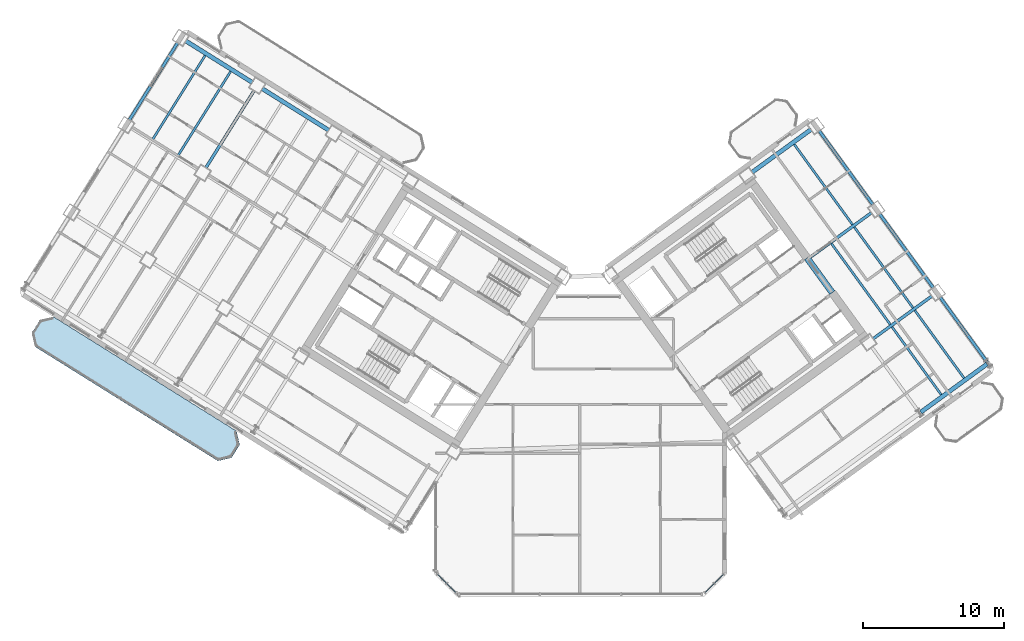
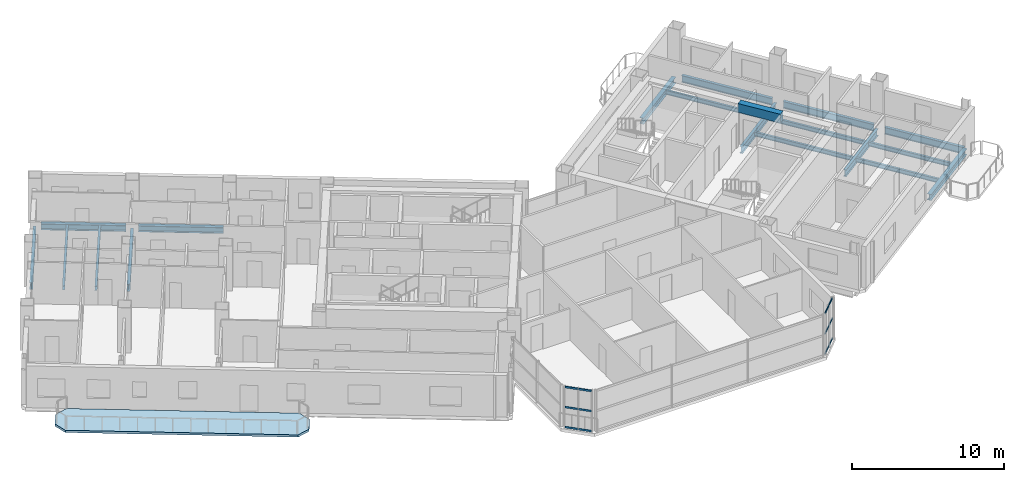
# One storey, part 13 of 25: 19 beams, 12 members, 1 slab, 2 elements without a shape of their own.
"""IFC4 building model written with IfcOpenShell, lengths in metres."""

from ifc_helpers import new_model, si_unit, direction, frame, origin, origin_2d, place, context, subcontext, project, spatial, polyline, rectangle, hollow_rectangle, i_section, outline, extrude, source, transform, mapped, material, layer, layer_set, material_profile, profile_set, type_object, element, aggregate, save


model = new_model("IFC4")

# Units and contexts
model_context = context("Model", 3, precision=1e-05, world=origin(), true_north=direction((0.0, 1.0)))
body_context = subcontext(model_context, "Body", "Model", "MODEL_VIEW")
ifc_project = project(units=[si_unit("LENGTHUNIT", "METRE"), si_unit("AREAUNIT", "SQUARE_METRE"), si_unit("VOLUMEUNIT", "CUBIC_METRE"), si_unit("PLANEANGLEUNIT", "RADIAN"), si_unit("MASSUNIT", "GRAM", prefix="KILO")], contexts=[model_context])

# Site, building, storey
site_placement = place(None, origin())
site = spatial("IfcSite", under=ifc_project, at=site_placement, CompositionType="ELEMENT")
building_placement = place(site_placement, origin())
building = spatial("IfcBuilding", under=site, at=building_placement, Name="Tlacorven Tower", CompositionType="ELEMENT")
storey_placement = place(building_placement, frame((0.0, 0.0, 162.300048828125)))
storey = spatial("IfcBuildingStorey", under=building, at=storey_placement, Name="L41", CompositionType="ELEMENT", Elevation=162.300048828125)

# Beams
ifc_material_1 = material(Name="Concrete C60/75", Category="concrete")
ifc_material_profile_1 = material_profile(ifc_material_1, rectangle(XDim=0.449951171875, YDim=0.699951171875, at=origin_2d()), Name="RC 450X700")
ifc_profile_set_1 = profile_set([ifc_material_profile_1], Name="Concrete C60/75")
beam_type_1 = type_object("IfcBeamType", Name="BM-LNT-700", PredefinedType="LINTEL", material=ifc_profile_set_1)
shared_shape_1 = source(origin(), body_context, "Body", "SweptSolid", [
    extrude(rectangle(XDim=0.449951171875, YDim=0.699951171875, at=origin_2d()), origin(), (0.0, 0.0, 1.0), 3.050048828125),
])
beam_1_placement = place(storey_placement, frame((59.856689453125, 23.345947265625, 3.0), z_axis=(-0.587776590479, 0.80902328748, 0.0), x_axis=(-0.80902328748, -0.587776590479, 0.0)))
element("IfcBeam", 1, at=beam_1_placement, inside=storey, type_object=beam_type_1, Name="L41 E core coupling lintel beam E2", PredefinedType="LINTEL", context=body_context, shape_type="MappedRepresentation", body=[
    mapped(shared_shape_1, transform((0.0, 0.0, 0.0), scale=1.0)),
])
ifc_material_2 = material(Name="Steel S355J2", Category="steel")
ifc_material_profile_2 = material_profile(ifc_material_2, i_section(OverallWidth=0.300048828125, OverallDepth=0.489990234375, WebThickness=0.011962890625, FlangeThickness=0.02294921875, at=origin_2d()), Name="HEA 500")
ifc_profile_set_2 = profile_set([ifc_material_profile_2], Name="Steel S355J2")
beam_type_2 = type_object("IfcBeamType", Name="BM-SPN-500", PredefinedType="SPANDREL", material=ifc_profile_set_2)
shared_shape_2 = source(origin(), body_context, "Body", "SweptSolid", [
    extrude(i_section(OverallWidth=0.300048828125, OverallDepth=0.489990234375, WebThickness=0.011962890625, FlangeThickness=0.02294921875, at=origin_2d()), origin(), (0.0, 0.0, 1.0), 5.800048828125),
])
beam_2_placement = place(storey_placement, frame((66.138671875, 14.86962890625, -0.4951171875), z_axis=(0.809019944521, 0.587781191743, 0.0), x_axis=(-0.587781191743, 0.809019944521, 0.0)))
element("IfcBeam", 2, at=beam_2_placement, inside=storey, type_object=beam_type_2, Name="L41 beam BM-L41-EL1-3", PredefinedType="SPANDREL", context=body_context, shape_type="MappedRepresentation", body=[
    mapped(shared_shape_2, transform((0.0, 0.0, 0.0), scale=1.0)),
])
shared_shape_3 = source(origin(), body_context, "Body", "SweptSolid", [
    extrude(i_section(OverallWidth=0.300048828125, OverallDepth=0.489990234375, WebThickness=0.011962890625, FlangeThickness=0.02294921875, at=origin_2d()), origin(), (0.0, 0.0, 1.0), 5.599853515625),
])
for number, where, z_axis, x_axis, name in (
    (3, (24.1611328125, 34.854736328125, -0.4951171875), (-0.848047285686, 0.529920561254, 0.0), (-0.529920561254, -0.848047285686, 0.0), "L41 beam BM-L41-WL1-4"),
    (4, (18.733642578125, 38.246337890625, -0.4951171875), (-0.848047285686, 0.529920561254, 0.0), (-0.529920561254, -0.848047285686, 0.0), "L41 beam BM-L41-WL1-5"),
):
    element("IfcBeam", number, at=place(storey_placement, frame(where, z_axis=z_axis, x_axis=x_axis)), inside=storey, type_object=beam_type_2, Name=name, PredefinedType="SPANDREL", context=body_context, shape_type="MappedRepresentation", body=[
        mapped(shared_shape_3, transform((0.0, 0.0, 0.0), scale=1.0)),
    ])
ifc_material_profile_3 = material_profile(ifc_material_2, i_section(OverallWidth=0.2099609375, OverallDepth=0.550048828125, WebThickness=0.010986328125, FlangeThickness=0.01708984375, at=origin_2d()), Name="IPE 550")
ifc_profile_set_3 = profile_set([ifc_material_profile_3], Name="Steel S355J2")
beam_type_3 = type_object("IfcBeamType", Name="BM-TWR-550", PredefinedType="BEAM", material=ifc_profile_set_3)
shared_shape_4 = source(origin(), body_context, "Body", "SweptSolid", [
    extrude(i_section(OverallWidth=0.2099609375, OverallDepth=0.550048828125, WebThickness=0.010986328125, FlangeThickness=0.01708984375, at=origin_2d()), origin(), (0.0, 0.0, 1.0), 5.7001953125),
])
beam_3_placement = place(storey_placement, frame((70.853271484375, 18.41845703125, -0.525146484375), z_axis=(-0.587766699507, 0.809030473438, 0.0), x_axis=(-0.809030473438, -0.587766699507, 0.0)))
element("IfcBeam", 5, at=beam_3_placement, inside=storey, type_object=beam_type_3, Name="L41 beam BM-L41-ET4-1", PredefinedType="BEAM", context=body_context, shape_type="MappedRepresentation", body=[
    mapped(shared_shape_4, transform((0.0, 0.0, 0.0), scale=1.0)),
])
shared_shape_5 = source(origin(), body_context, "Body", "SweptSolid", [
    extrude(i_section(OverallWidth=0.2099609375, OverallDepth=0.550048828125, WebThickness=0.010986328125, FlangeThickness=0.01708984375, at=origin_2d()), origin(), (0.0, 0.0, 1.0), 6.5),
])
for number, where, z_axis, x_axis, name in (
    (6, (13.433349609375, 41.086669921875, -0.525146484375), (-0.529894274829, -0.848063710757, 0.0), (0.848063710757, -0.529894274829, 0.0), "L41 beam BM-L41-WT6-1"),
    (7, (67.03271484375, 23.67724609375, -0.525146484375), (-0.587809847215, 0.808999124547, 0.0), (-0.808999124547, -0.587809847215, 0.0), "L41 beam BM-L41-ET4-2"),
    (8, (62.74169921875, 29.5830078125, -0.525146484375), (-0.587785264321, 0.809016985636, 0.0), (-0.809016985636, -0.587785264321, 0.0), "L41 beam BM-L41-ET4-3"),
):
    element("IfcBeam", number, at=place(storey_placement, frame(where, z_axis=z_axis, x_axis=x_axis)), inside=storey, type_object=beam_type_3, Name=name, PredefinedType="BEAM", context=body_context, shape_type="MappedRepresentation", body=[
        mapped(shared_shape_5, transform((0.0, 0.0, 0.0), scale=1.0)),
    ])
shared_shape_6 = source(origin(), body_context, "Body", "SweptSolid", [
    extrude(i_section(OverallWidth=0.2099609375, OverallDepth=0.550048828125, WebThickness=0.010986328125, FlangeThickness=0.01708984375, at=origin_2d()), origin(), (0.0, 0.0, 1.0), 6.499755859375),
])
beam_4_placement = place(storey_placement, frame((18.86083984375, 37.695068359375, -0.525146484375), z_axis=(-0.529911154058, -0.848053163902, 0.0), x_axis=(0.848053163902, -0.529911154058, 0.0)))
element("IfcBeam", 9, at=beam_4_placement, inside=storey, type_object=beam_type_3, Name="L41 beam BM-L41-WT5-1", PredefinedType="BEAM", context=body_context, shape_type="MappedRepresentation", body=[
    mapped(shared_shape_6, transform((0.0, 0.0, 0.0), scale=1.0)),
])
shared_shape_7 = source(origin(), body_context, "Body", "SweptSolid", [
    extrude(i_section(OverallWidth=0.2099609375, OverallDepth=0.550048828125, WebThickness=0.010986328125, FlangeThickness=0.01708984375, at=origin_2d()), origin(), (0.0, 0.0, 1.0), 5.56005859375),
])
beam_5_placement = place(storey_placement, frame((58.155029296875, 25.756103515625, -0.525146484375), z_axis=(0.809028396397, 0.587769558435, 0.0), x_axis=(-0.587769558435, 0.809028396397, 0.0)))
element("IfcBeam", 10, at=beam_5_placement, inside=storey, type_object=beam_type_3, Name="L41 beam BM-L41-EL3-3", PredefinedType="BEAM", context=body_context, shape_type="MappedRepresentation", body=[
    mapped(shared_shape_7, transform((0.0, 0.0, 0.0), scale=1.0)),
])
ifc_material_profile_4 = material_profile(ifc_material_2, i_section(OverallWidth=0.159912109375, OverallDepth=0.330078125, WebThickness=0.007568359375, FlangeThickness=0.011474609375, at=origin_2d()), Name="IPE 330")
ifc_profile_set_4 = profile_set([ifc_material_profile_4], Name="Steel S355J2")
beam_type_4 = type_object("IfcBeamType", Name="BM-JST-330", PredefinedType="JOIST", material=ifc_profile_set_4)
shared_shape_8 = source(origin(), body_context, "Body", "SweptSolid", [
    extrude(i_section(OverallWidth=0.159912109375, OverallDepth=0.330078125, WebThickness=0.007568359375, FlangeThickness=0.011474609375, at=origin_2d()), origin(), (0.0, 0.0, 1.0), 5.93505859375),
])
for number, where, z_axis, x_axis, name in (
    (11, (67.584716796875, 16.11181640625, -0.4150390625), (-0.58778762431, 0.809015270998, 0.0), (-0.809015270998, -0.58778762431, 0.0), "L41 beam BM-L41-EJ3-1-1"),
    (12, (69.202880859375, 17.287353515625, -0.4150390625), (-0.58778762431, 0.809015270998, 0.0), (-0.809015270998, -0.58778762431, 0.0), "L41 beam BM-L41-EJ3-1-2"),
):
    element("IfcBeam", number, at=place(storey_placement, frame(where, z_axis=z_axis, x_axis=x_axis)), inside=storey, type_object=beam_type_4, Name=name, PredefinedType="JOIST", context=body_context, shape_type="MappedRepresentation", body=[
        mapped(shared_shape_8, transform((0.0, 0.0, 0.0), scale=1.0)),
    ])
shared_shape_9 = source(origin(), body_context, "Body", "SweptSolid", [
    extrude(i_section(OverallWidth=0.159912109375, OverallDepth=0.330078125, WebThickness=0.007568359375, FlangeThickness=0.011474609375, at=origin_2d()), origin(), (0.0, 0.0, 1.0), 7.080078125),
])
beam_6_placement = place(storey_placement, frame((65.5849609375, 22.266845703125, -0.4150390625), z_axis=(-0.587759505125, 0.809035700161, 0.0), x_axis=(-0.809035700161, -0.587759505125, 0.0)))
element("IfcBeam", 13, at=beam_6_placement, inside=storey, type_object=beam_type_4, Name="L41 beam BM-L41-EJ3-2-2", PredefinedType="JOIST", context=body_context, shape_type="MappedRepresentation", body=[
    mapped(shared_shape_9, transform((0.0, 0.0, 0.0), scale=1.0)),
])
shared_shape_10 = source(origin(), body_context, "Body", "SweptSolid", [
    extrude(i_section(OverallWidth=0.159912109375, OverallDepth=0.330078125, WebThickness=0.007568359375, FlangeThickness=0.011474609375, at=origin_2d()), origin(), (0.0, 0.0, 1.0), 7.03515625),
])
beam_7_placement = place(storey_placement, frame((17.181640625, 39.033447265625, -0.4150390625), z_axis=(-0.529920952588, -0.848047041153, 0.0), x_axis=(0.848047041153, -0.529920952588, 0.0)))
element("IfcBeam", 14, at=beam_7_placement, inside=storey, type_object=beam_type_4, Name="L41 beam BM-L41-WJ5-1-1", PredefinedType="JOIST", context=body_context, shape_type="MappedRepresentation", body=[
    mapped(shared_shape_10, transform((0.0, 0.0, 0.0), scale=1.0)),
])
shared_shape_11 = source(origin(), body_context, "Body", "SweptSolid", [
    extrude(i_section(OverallWidth=0.159912109375, OverallDepth=0.330078125, WebThickness=0.007568359375, FlangeThickness=0.011474609375, at=origin_2d()), origin(), (0.0, 0.0, 1.0), 7.034912109375),
])
for number, where, z_axis, x_axis, name in (
    (15, (15.372314453125, 40.163818359375, -0.4150390625), (-0.529895993776, -0.848062636708, 0.0), (0.848062636708, -0.529895993776, 0.0), "L41 beam BM-L41-WJ5-1-2"),
    (16, (61.294189453125, 28.1728515625, -0.4150390625), (-0.587781631373, 0.809019625115, 0.0), (-0.809019625115, -0.587781631373, 0.0), "L41 beam BM-L41-EJ3-3-2"),
):
    element("IfcBeam", number, at=place(storey_placement, frame(where, z_axis=z_axis, x_axis=x_axis)), inside=storey, type_object=beam_type_4, Name=name, PredefinedType="JOIST", context=body_context, shape_type="MappedRepresentation", body=[
        mapped(shared_shape_11, transform((0.0, 0.0, 0.0), scale=1.0)),
    ])
shared_shape_12 = source(origin(), body_context, "Body", "SweptSolid", [
    extrude(i_section(OverallWidth=0.159912109375, OverallDepth=0.330078125, WebThickness=0.007568359375, FlangeThickness=0.011474609375, at=origin_2d()), origin(), (0.0, 0.0, 1.0), 7.080322265625),
])
beam_8_placement = place(storey_placement, frame((63.967041015625, 21.09130859375, -0.4150390625), z_axis=(-0.587782074775, 0.809019302967, 0.0), x_axis=(-0.809019302967, -0.587782074775, 0.0)))
element("IfcBeam", 17, at=beam_8_placement, inside=storey, type_object=beam_type_4, Name="L41 beam BM-L41-EJ3-2-1", PredefinedType="JOIST", context=body_context, shape_type="MappedRepresentation", body=[
    mapped(shared_shape_12, transform((0.0, 0.0, 0.0), scale=1.0)),
])
shared_shape_13 = source(origin(), body_context, "Body", "SweptSolid", [
    extrude(i_section(OverallWidth=0.2099609375, OverallDepth=0.550048828125, WebThickness=0.010986328125, FlangeThickness=0.01708984375, at=origin_2d()), origin(), (0.0, 0.0, 1.0), 5.199951171875),
])
beam_9_placement = place(storey_placement, frame((62.7373046875, 20.06201171875, -0.525146484375), z_axis=(0.809018206713, 0.587783583648, 0.0), x_axis=(-0.587783583648, 0.809018206713, 0.0)))
element("IfcBeam", 18, at=beam_9_placement, inside=storey, type_object=beam_type_3, Name="L41 beam BM-L41-EL2-3", PredefinedType="BEAM", context=body_context, shape_type="MappedRepresentation", body=[
    mapped(shared_shape_13, transform((0.0, 0.0, 0.0), scale=1.0)),
])
shared_shape_14 = source(origin(), body_context, "Body", "SweptSolid", [
    extrude(i_section(OverallWidth=0.300048828125, OverallDepth=0.489990234375, WebThickness=0.011962890625, FlangeThickness=0.02294921875, at=origin_2d()), origin(), (0.0, 0.0, 1.0), 5.2001953125),
])
beam_10_placement = place(storey_placement, frame((54.155517578125, 31.87353515625, -0.4951171875), z_axis=(0.80901210161, 0.587791986546, 0.0), x_axis=(-0.587791986546, 0.80901210161, 0.0)))
element("IfcBeam", 19, at=beam_10_placement, inside=storey, type_object=beam_type_2, Name="L41 beam BM-L41-EL4-3", PredefinedType="SPANDREL", context=body_context, shape_type="MappedRepresentation", body=[
    mapped(shared_shape_14, transform((0.0, 0.0, 0.0), scale=1.0)),
])

# Curtain wall, members
ifc_material_3 = material(Name="Dark solar low-E double glazing in aluminium frame", Category="aluminium")
curtain_wall_type = type_object("IfcCurtainWallType", Name="CW-TWR-MID", PredefinedType="USERDEFINED", material=ifc_material_3)
curtain_wall_1_placement = place(storey_placement, origin())
curtain_wall_1 = element("IfcCurtainWall", 20, at=curtain_wall_1_placement, inside=storey, type_object=curtain_wall_type, Name="L41 CW-TWR-MID Curtain Wall 184", ObjectType="UNITISED CURTAIN WALL", PredefinedType="USERDEFINED")
ifc_material_4 = material(Name="Aluminium 6063-T6 anodised", Category="aluminium")
ifc_material_profile_5 = material_profile(ifc_material_4, hollow_rectangle(XDim=0.06005859375, YDim=0.139892578125, WallThickness=0.00390625, at=origin_2d()), Name="ALU TRANSOM 60X140")
ifc_profile_set_5 = profile_set([ifc_material_profile_5], Name="Aluminium 6063-T6 anodised")
member_type = type_object("IfcMemberType", Name="CWT-02", PredefinedType="USERDEFINED", material=ifc_profile_set_5)
shared_shape_15 = source(origin(), body_context, "Body", "SweptSolid", [
    extrude(hollow_rectangle(XDim=0.06005859375, YDim=0.139892578125, WallThickness=0.00390625, at=origin_2d()), origin(), (0.0, 0.0, 1.0), 0.8916015625),
])
member_1_placement = place(storey_placement, frame((52.1318359375, 3.358154296875, 0.070068359375), z_axis=(-0.706969864397, -0.70724367147, 0.0), x_axis=(0.70724367147, -0.706969864397, 0.0)))
member_1 = element("IfcMember", 21, at=member_1_placement, type_object=member_type, Name="CW-L41-184 Transom 1", ObjectType="TRANSOM", PredefinedType="USERDEFINED", context=body_context, shape_type="MappedRepresentation", body=[
    mapped(shared_shape_15, transform((0.0, 0.0, 0.0), scale=1.0)),
])
member_2_placement = place(storey_placement, frame((52.1318359375, 3.358154296875, 1.675048828125), z_axis=(-0.706969864397, -0.70724367147, 0.0), x_axis=(0.70724367147, -0.706969864397, 0.0)))
member_2 = element("IfcMember", 22, at=member_2_placement, type_object=member_type, Name="CW-L41-184 Transom 2", ObjectType="TRANSOM", PredefinedType="USERDEFINED", context=body_context, shape_type="MappedRepresentation", body=[
    mapped(shared_shape_15, transform((0.0, 0.0, 0.0), scale=1.0)),
])
member_3_placement = place(storey_placement, frame((52.1318359375, 3.358154296875, 3.280029296875), z_axis=(-0.706969864397, -0.70724367147, 0.0), x_axis=(0.70724367147, -0.706969864397, 0.0)))
member_3 = element("IfcMember", 23, at=member_3_placement, type_object=member_type, Name="CW-L41-184 Transom 3", ObjectType="TRANSOM", PredefinedType="USERDEFINED", context=body_context, shape_type="MappedRepresentation", body=[
    mapped(shared_shape_15, transform((0.0, 0.0, 0.0), scale=1.0)),
])

curtain_wall_2_placement = place(storey_placement, origin())
curtain_wall_2 = element("IfcCurtainWall", 24, at=curtain_wall_2_placement, inside=storey, type_object=curtain_wall_type, Name="L41 CW-TWR-MID Curtain Wall 186", ObjectType="UNITISED CURTAIN WALL", PredefinedType="USERDEFINED")
member_4_placement = place(storey_placement, frame((32.49853515625, 2.7275390625, 0.070068359375), z_axis=(-0.706969864397, 0.70724367147, 0.0), x_axis=(-0.70724367147, -0.706969864397, 0.0)))
member_4 = element("IfcMember", 25, at=member_4_placement, type_object=member_type, Name="CW-L41-186 Transom 4", ObjectType="TRANSOM", PredefinedType="USERDEFINED", context=body_context, shape_type="MappedRepresentation", body=[
    mapped(shared_shape_15, transform((0.0, 0.0, 0.0), scale=1.0)),
])
member_5_placement = place(storey_placement, frame((32.49853515625, 2.7275390625, 1.675048828125), z_axis=(-0.706969864397, 0.70724367147, 0.0), x_axis=(-0.70724367147, -0.706969864397, 0.0)))
member_5 = element("IfcMember", 26, at=member_5_placement, type_object=member_type, Name="CW-L41-186 Transom 5", ObjectType="TRANSOM", PredefinedType="USERDEFINED", context=body_context, shape_type="MappedRepresentation", body=[
    mapped(shared_shape_15, transform((0.0, 0.0, 0.0), scale=1.0)),
])
member_6_placement = place(storey_placement, frame((32.49853515625, 2.7275390625, 3.280029296875), z_axis=(-0.706969864397, 0.70724367147, 0.0), x_axis=(-0.70724367147, -0.706969864397, 0.0)))
member_6 = element("IfcMember", 27, at=member_6_placement, type_object=member_type, Name="CW-L41-186 Transom 6", ObjectType="TRANSOM", PredefinedType="USERDEFINED", context=body_context, shape_type="MappedRepresentation", body=[
    mapped(shared_shape_15, transform((0.0, 0.0, 0.0), scale=1.0)),
])

# Member
shared_shape_16 = source(origin(), body_context, "Body", "SweptSolid", [
    extrude(hollow_rectangle(XDim=0.06005859375, YDim=0.139892578125, WallThickness=0.00390625, at=origin_2d()), origin(), (0.0, 0.0, 1.0), 0.891845703125),
])
member_7_placement = place(storey_placement, frame((51.472412109375, 2.69873046875, 0.070068359375), z_axis=(-0.707106781187, -0.707106781187, 0.0), x_axis=(0.707106781187, -0.707106781187, 0.0)))
member_7 = element("IfcMember", 28, at=member_7_placement, type_object=member_type, Name="CW-L41-184 Transom 4", ObjectType="TRANSOM", PredefinedType="USERDEFINED", context=body_context, shape_type="MappedRepresentation", body=[
    mapped(shared_shape_16, transform((0.0, 0.0, 0.0), scale=1.0)),
])

member_8_placement = place(storey_placement, frame((51.472412109375, 2.69873046875, 1.675048828125), z_axis=(-0.707106781187, -0.707106781187, 0.0), x_axis=(0.707106781187, -0.707106781187, 0.0)))
member_8 = element("IfcMember", 29, at=member_8_placement, type_object=member_type, Name="CW-L41-184 Transom 5", ObjectType="TRANSOM", PredefinedType="USERDEFINED", context=body_context, shape_type="MappedRepresentation", body=[
    mapped(shared_shape_16, transform((0.0, 0.0, 0.0), scale=1.0)),
])

member_9_placement = place(storey_placement, frame((51.472412109375, 2.69873046875, 3.280029296875), z_axis=(-0.707106781187, -0.707106781187, 0.0), x_axis=(0.707106781187, -0.707106781187, 0.0)))
member_9 = element("IfcMember", 30, at=member_9_placement, type_object=member_type, Name="CW-L41-184 Transom 6", ObjectType="TRANSOM", PredefinedType="USERDEFINED", context=body_context, shape_type="MappedRepresentation", body=[
    mapped(shared_shape_16, transform((0.0, 0.0, 0.0), scale=1.0)),
])

aggregate(curtain_wall_1, [member_1, member_2, member_3, member_7, member_8, member_9])

member_10_placement = place(storey_placement, frame((33.158203125, 2.068115234375, 0.070068359375), z_axis=(-0.707106781187, 0.707106781187, 0.0), x_axis=(-0.707106781187, -0.707106781187, 0.0)))
member_10 = element("IfcMember", 31, at=member_10_placement, type_object=member_type, Name="CW-L41-186 Transom 1", ObjectType="TRANSOM", PredefinedType="USERDEFINED", context=body_context, shape_type="MappedRepresentation", body=[
    mapped(shared_shape_16, transform((0.0, 0.0, 0.0), scale=1.0)),
])

member_11_placement = place(storey_placement, frame((33.158203125, 2.068115234375, 1.675048828125), z_axis=(-0.707106781187, 0.707106781187, 0.0), x_axis=(-0.707106781187, -0.707106781187, 0.0)))
member_11 = element("IfcMember", 32, at=member_11_placement, type_object=member_type, Name="CW-L41-186 Transom 2", ObjectType="TRANSOM", PredefinedType="USERDEFINED", context=body_context, shape_type="MappedRepresentation", body=[
    mapped(shared_shape_16, transform((0.0, 0.0, 0.0), scale=1.0)),
])

member_12_placement = place(storey_placement, frame((33.158203125, 2.068115234375, 3.280029296875), z_axis=(-0.707106781187, 0.707106781187, 0.0), x_axis=(-0.707106781187, -0.707106781187, 0.0)))
member_12 = element("IfcMember", 33, at=member_12_placement, type_object=member_type, Name="CW-L41-186 Transom 3", ObjectType="TRANSOM", PredefinedType="USERDEFINED", context=body_context, shape_type="MappedRepresentation", body=[
    mapped(shared_shape_16, transform((0.0, 0.0, 0.0), scale=1.0)),
])

aggregate(curtain_wall_2, [member_10, member_11, member_12, member_4, member_5, member_6])

# Slab
ifc_material_5 = material(Name="Precast concrete C45/55", Category="concrete")
ifc_layer = layer(ifc_material_5, 0.179931640625)
ifc_layer_set = layer_set([ifc_layer], Name="Precast concrete C45/55")
slab_type = type_object("IfcSlabType", Name="SL-BAL-180", PredefinedType="USERDEFINED", material=ifc_layer_set)
slab_placement = place(storey_placement, frame((0.0, 0.0, -0.179931640625)))
element("IfcSlab", 34, at=slab_placement, inside=storey, type_object=slab_type, Name="L41 West Wing Balcony Ribbon OUT", ObjectType="BALCONY SLAB", PredefinedType="USERDEFINED", context=body_context, shape_type="SweptSolid", body=[
    extrude(outline(polyline([(17.601318359375, 13.52490234375), (4.626220703125, 21.632568359375), (3.66162109375, 21.409912109375), (3.081298828125, 20.4814453125), (3.303955078125, 19.516845703125), (16.279052734375, 11.408935546875), (17.24365234375, 11.6318359375), (17.823974609375, 12.560302734375), (17.601318359375, 13.52490234375)])), origin(), (0.0, 0.0, 1.0), 0.179931640625),
])

save(model, "model.ifc")
